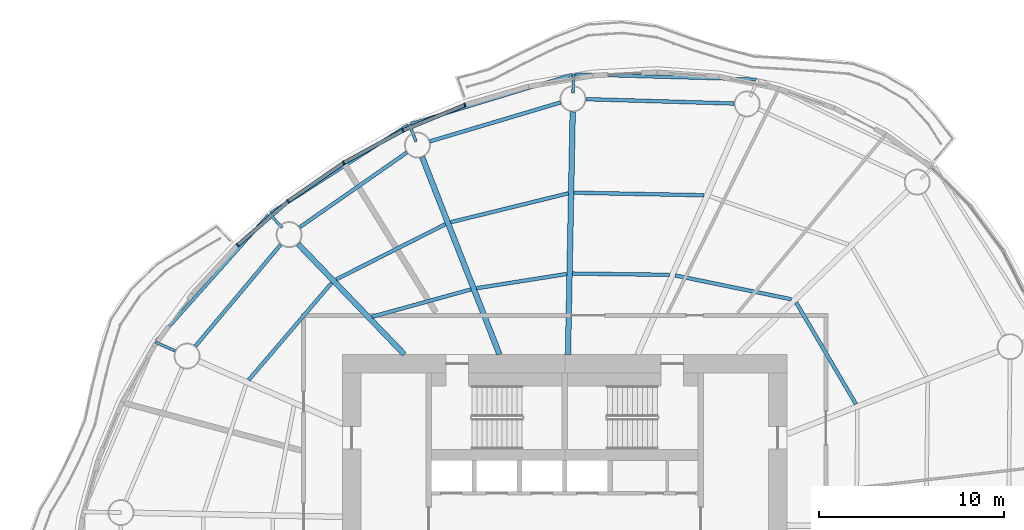
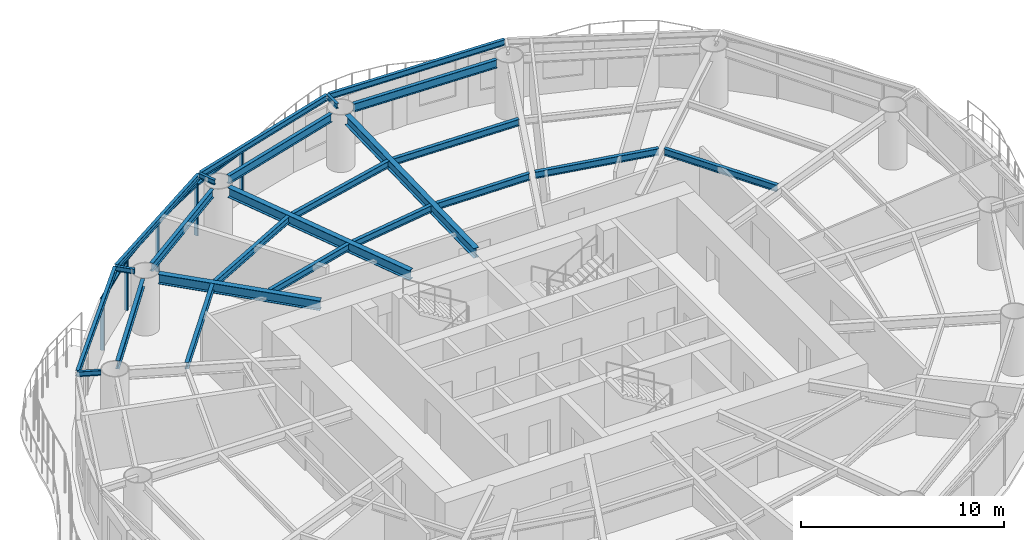
# One storey, part 5 of 15: 24 beams, 9 members, 4 elements without a shape of their own.
"""IFC4 building model written with IfcOpenShell, lengths in metres."""

from ifc_helpers import new_model, si_unit, direction, frame, origin, origin_2d, place, context, subcontext, project, spatial, rectangle, i_section, extrude, material, material_profile, profile_set, type_object, element, aggregate, save


model = new_model("IFC4")

# Units and contexts
model_context = context("Model", 3, precision=1e-05, world=origin(), true_north=direction((0.0, 1.0)))
body_context = subcontext(model_context, "Body", "Model", "MODEL_VIEW")
ifc_project = project(units=[si_unit("LENGTHUNIT", "METRE"), si_unit("AREAUNIT", "SQUARE_METRE"), si_unit("VOLUMEUNIT", "CUBIC_METRE"), si_unit("PLANEANGLEUNIT", "RADIAN"), si_unit("MASSUNIT", "GRAM", prefix="KILO")], contexts=[model_context])

# Site, building, storey
site_placement = place(None, origin())
site = spatial("IfcSite", under=ifc_project, at=site_placement, CompositionType="ELEMENT")
building_placement = place(site_placement, origin())
building = spatial("IfcBuilding", under=site, at=building_placement, Name="Vermilion Reach Broadcast Tower", CompositionType="ELEMENT")
storey_placement = place(building_placement, frame((0.0, 0.0, 161.39990234375)))
storey = spatial("IfcBuildingStorey", under=building, at=storey_placement, Name="L38", CompositionType="ELEMENT", Elevation=161.39990234375)

# Beams
ifc_material_1 = material(Name="Steel S355J2", Category="steel")
ifc_material_profile_1 = material_profile(ifc_material_1, i_section(OverallWidth=0.175048828125, OverallDepth=0.35009765625, WebThickness=0.007080078125, FlangeThickness=0.010986328125, at=origin_2d()), Name="S355J2 HN 350x175x7x11")
ifc_profile_set_1 = profile_set([ifc_material_profile_1], Name="Steel S355J2")
beam_type_1 = type_object("IfcBeamType", Name="EB3 HN 350x175x7x11", PredefinedType="BEAM", material=ifc_profile_set_1)
beam_1_placement = place(storey_placement, frame((4.33740234375, 23.837158203125, 3.275146484375), z_axis=(-0.999591598594, 0.028576844136, 0.0), x_axis=(-0.028576844136, -0.999591598594, 0.0)))
element("IfcBeam", 1, at=beam_1_placement, inside=storey, type_object=beam_type_1, Name="Edge beam EB3-02", PredefinedType="BEAM", context=body_context, shape_type="SweptSolid", body=[
    extrude(i_section(OverallWidth=0.175048828125, OverallDepth=0.35009765625, WebThickness=0.007080078125, FlangeThickness=0.010986328125, at=origin_2d()), origin(), (0.0, 0.0, 1.0), 9.799072265625),
])
beam_2_placement = place(storey_placement, frame((-5.608154296875, 24.096435546875, 3.275146484375), z_axis=(-0.956501934131, -0.291725984452, 0.0), x_axis=(0.291725984452, -0.956501934131, 0.0)))
element("IfcBeam", 2, at=beam_2_placement, inside=storey, type_object=beam_type_1, Name="Edge beam EB3-03", PredefinedType="BEAM", context=body_context, shape_type="SweptSolid", body=[
    extrude(i_section(OverallWidth=0.175048828125, OverallDepth=0.35009765625, WebThickness=0.007080078125, FlangeThickness=0.010986328125, at=origin_2d()), origin(), (0.0, 0.0, 1.0), 9.105224609375),
])
beam_3_placement = place(storey_placement, frame((-14.453857421875, 21.376953125, 3.275146484375), z_axis=(-0.842077348818, -0.539356782295, 0.0), x_axis=(0.539356782295, -0.842077348818, 0.0)))
element("IfcBeam", 3, at=beam_3_placement, inside=storey, type_object=beam_type_1, Name="Edge beam EB3-04", PredefinedType="BEAM", context=body_context, shape_type="SweptSolid", body=[
    extrude(i_section(OverallWidth=0.175048828125, OverallDepth=0.35009765625, WebThickness=0.007080078125, FlangeThickness=0.010986328125, at=origin_2d()), origin(), (0.0, 0.0, 1.0), 8.822265625),
])
beam_4_placement = place(storey_placement, frame((-21.997314453125, 16.521240234375, 3.275146484375), z_axis=(-0.664977714117, -0.746863200143, 0.0), x_axis=(0.746863200143, -0.664977714117, 0.0)))
element("IfcBeam", 4, at=beam_4_placement, inside=storey, type_object=beam_type_1, Name="Edge beam EB3-05", PredefinedType="BEAM", context=body_context, shape_type="SweptSolid", body=[
    extrude(i_section(OverallWidth=0.175048828125, OverallDepth=0.35009765625, WebThickness=0.007080078125, FlangeThickness=0.010986328125, at=origin_2d()), origin(), (0.0, 0.0, 1.0), 9.10546875),
])
ifc_material_2 = material(Name="Steel S355J2", Category="steel")
ifc_material_profile_2 = material_profile(ifc_material_2, i_section(OverallWidth=0.300048828125, OverallDepth=0.587890625, WebThickness=0.011962890625, FlangeThickness=0.02001953125, at=origin_2d()), Name="S355J2 HM 588x300x12x20")
ifc_profile_set_2 = profile_set([ifc_material_profile_2], Name="Steel S355J2")
beam_type_2 = type_object("IfcBeamType", Name="G3 HM 588x300x12x20", PredefinedType="BEAM", material=ifc_profile_set_2)
beam_5_placement = place(storey_placement, frame((-5.82568359375, 9.0, 3.156005859375), z_axis=(0.019378372481, 0.99981222171, 0.0), x_axis=(-0.99981222171, 0.019378372481, 0.0)))
element("IfcBeam", 5, at=beam_5_placement, inside=storey, type_object=beam_type_2, Name="Girder G3-03", PredefinedType="BEAM", context=body_context, shape_type="SweptSolid", body=[
    extrude(i_section(OverallWidth=0.300048828125, OverallDepth=0.587890625, WebThickness=0.011962890625, FlangeThickness=0.02001953125, at=origin_2d()), origin(), (0.0, 0.0, 1.0), 13.1025390625),
])
beam_6_placement = place(storey_placement, frame((-9.525146484375, 9.0, 3.156005859375), z_axis=(-0.364715649973, 0.931118947646, 0.0), x_axis=(-0.931118947646, -0.364715649973, 0.0)))
element("IfcBeam", 6, at=beam_6_placement, inside=storey, type_object=beam_type_2, Name="Girder G3-04", PredefinedType="BEAM", context=body_context, shape_type="SweptSolid", body=[
    extrude(i_section(OverallWidth=0.300048828125, OverallDepth=0.587890625, WebThickness=0.011962890625, FlangeThickness=0.02001953125, at=origin_2d()), origin(), (0.0, 0.0, 1.0), 11.436767578125),
])
beam_7_placement = place(storey_placement, frame((-14.657958984375, 9.0, 3.156005859375), z_axis=(-0.693282657492, 0.72066577331, 0.0), x_axis=(-0.72066577331, -0.693282657492, 0.0)))
element("IfcBeam", 7, at=beam_7_placement, inside=storey, type_object=beam_type_2, Name="Girder G3-05", PredefinedType="BEAM", context=body_context, shape_type="SweptSolid", body=[
    extrude(i_section(OverallWidth=0.300048828125, OverallDepth=0.587890625, WebThickness=0.011962890625, FlangeThickness=0.02001953125, at=origin_2d()), origin(), (0.0, 0.0, 1.0), 8.273681640625),
])
ifc_material_3 = material(Name="Steel S355J2", Category="steel")
ifc_material_profile_3 = material_profile(ifc_material_3, i_section(OverallWidth=0.14990234375, OverallDepth=0.300048828125, WebThickness=0.006591796875, FlangeThickness=0.009033203125, at=origin_2d()), Name="S355J2 HN 300x150x6.5x9")
ifc_profile_set_3 = profile_set([ifc_material_profile_3], Name="Steel S355J2")
beam_type_3 = type_object("IfcBeamType", Name="GS3 HN 300x150x6.5x9", PredefinedType="BEAM", material=ifc_profile_set_3)
for number, where, z_axis, x_axis, name in (
    (8, (-5.552001953125, 23.11962890625, 3.300048828125), (0.019288230334, 0.999813964781, 0.0), (-0.999813964781, 0.019288230334, 0.0), "Cantilever stub GS3-03"),
    (9, (-14.024658203125, 20.487060546875, 3.300048828125), (-0.364730702407, 0.931113051526, 0.0), (-0.931113051526, -0.364730702407, 0.0), "Cantilever stub GS3-04"),
    (10, (-21.25390625, 15.856689453125, 3.300048828125), (-0.693303837595, 0.720645397388, 0.0), (-0.720645397388, -0.693303837595, 0.0), "Cantilever stub GS3-05"),
):
    element("IfcBeam", number, at=place(storey_placement, frame(where, z_axis=z_axis, x_axis=x_axis)), inside=storey, type_object=beam_type_3, Name=name, PredefinedType="BEAM", context=body_context, shape_type="SweptSolid", body=[
        extrude(i_section(OverallWidth=0.14990234375, OverallDepth=0.300048828125, WebThickness=0.006591796875, FlangeThickness=0.009033203125, at=origin_2d()), origin(), (0.0, 0.0, 1.0), 1.0),
    ])
beam_8_placement = place(storey_placement, frame((-27.02978515625, 9.19189453125, 3.300048828125), z_axis=(-0.91622419933, 0.400665966313, 0.0), x_axis=(-0.400665966313, -0.91622419933, 0.0)))
element("IfcBeam", 11, at=beam_8_placement, inside=storey, type_object=beam_type_3, Name="Cantilever stub GS3-06", PredefinedType="BEAM", context=body_context, shape_type="SweptSolid", body=[
    extrude(i_section(OverallWidth=0.14990234375, OverallDepth=0.300048828125, WebThickness=0.006591796875, FlangeThickness=0.009033203125, at=origin_2d()), origin(), (0.0, 0.0, 1.0), 1.173095703125),
])
ifc_material_4 = material(Name="Steel S355J2", Category="steel")
ifc_material_profile_4 = material_profile(ifc_material_4, i_section(OverallWidth=0.199951171875, OverallDepth=0.5, WebThickness=0.010009765625, FlangeThickness=0.01611328125, at=origin_2d()), Name="S355J2 HN 500x200x10x16")
ifc_profile_set_4 = profile_set([ifc_material_profile_4], Name="Steel S355J2")
beam_type_4 = type_object("IfcBeamType", Name="RB3 HN 500x200x10x16", PredefinedType="BEAM", material=ifc_profile_set_4)
beam_9_placement = place(storey_placement, frame((3.1455078125, 22.544677734375, 3.2001953125), z_axis=(-0.999569781146, 0.029330063427, 0.0), x_axis=(-0.029330063427, -0.999569781146, 0.0)))
element("IfcBeam", 12, at=beam_9_placement, inside=storey, type_object=beam_type_4, Name="Ring beam RB3-02", PredefinedType="BEAM", context=body_context, shape_type="SweptSolid", body=[
    extrude(i_section(OverallWidth=0.199951171875, OverallDepth=0.5, WebThickness=0.010009765625, FlangeThickness=0.01611328125, at=origin_2d()), origin(), (0.0, 0.0, 1.0), 8.007568359375),
])
beam_10_placement = place(storey_placement, frame((-6.229248046875, 22.60009765625, 3.2001953125), z_axis=(-0.958416970322, -0.285371531516, 0.0), x_axis=(0.285371531516, -0.958416970322, 0.0)))
element("IfcBeam", 13, at=beam_10_placement, inside=storey, type_object=beam_type_4, Name="Ring beam RB3-03", PredefinedType="BEAM", context=body_context, shape_type="SweptSolid", body=[
    extrude(i_section(OverallWidth=0.199951171875, OverallDepth=0.5, WebThickness=0.010009765625, FlangeThickness=0.01611328125, at=origin_2d()), origin(), (0.0, 0.0, 1.0), 7.357421875),
])
beam_11_placement = place(storey_placement, frame((-14.525634765625, 19.900146484375, 3.2001953125), z_axis=(-0.820111453349, -0.572203813415, 0.0), x_axis=(0.572203813415, -0.820111453349, 0.0)))
element("IfcBeam", 14, at=beam_11_placement, inside=storey, type_object=beam_type_4, Name="Ring beam RB3-04", PredefinedType="BEAM", context=body_context, shape_type="SweptSolid", body=[
    extrude(i_section(OverallWidth=0.199951171875, OverallDepth=0.5, WebThickness=0.010009765625, FlangeThickness=0.01611328125, at=origin_2d()), origin(), (0.0, 0.0, 1.0), 7.04736328125),
])
beam_12_placement = place(storey_placement, frame((-21.32958984375, 14.931396484375, 3.2001953125), z_axis=(-0.643350337931, -0.765571905626, 0.0), x_axis=(0.765571905626, -0.643350337931, 0.0)))
element("IfcBeam", 15, at=beam_12_placement, inside=storey, type_object=beam_type_4, Name="Ring beam RB3-05", PredefinedType="BEAM", context=body_context, shape_type="SweptSolid", body=[
    extrude(i_section(OverallWidth=0.199951171875, OverallDepth=0.5, WebThickness=0.010009765625, FlangeThickness=0.01611328125, at=origin_2d()), origin(), (0.0, 0.0, 1.0), 7.1630859375),
])
ifc_material_5 = material(Name="Steel S355J2", Category="steel")
ifc_material_profile_5 = material_profile(ifc_material_5, i_section(OverallWidth=0.199951171875, OverallDepth=0.39990234375, WebThickness=0.008056640625, FlangeThickness=0.012939453125, at=origin_2d()), Name="S355J2 HN 400x200x8x13")
ifc_profile_set_5 = profile_set([ifc_material_profile_5], Name="Steel S355J2")
beam_type_5 = type_object("IfcBeamType", Name="SB3 HN 400x200x8x13", PredefinedType="BEAM", material=ifc_profile_set_5)
beam_13_placement = place(storey_placement, frame((6.232666015625, 11.975830078125, 3.25), z_axis=(-0.97956765607, 0.201114910391, 0.0), x_axis=(-0.201114910391, -0.97956765607, 0.0)))
element("IfcBeam", 16, at=beam_13_placement, inside=storey, type_object=beam_type_5, Name="Secondary beam SB3-01-1", PredefinedType="BEAM", context=body_context, shape_type="SweptSolid", body=[
    extrude(i_section(OverallWidth=0.199951171875, OverallDepth=0.39990234375, WebThickness=0.008056640625, FlangeThickness=0.012939453125, at=origin_2d()), origin(), (0.0, 0.0, 1.0), 6.40234375),
])
beam_14_placement = place(storey_placement, frame((-0.351806640625, 13.29638671875, 3.25), z_axis=(-0.999914891843, 0.013046419838, 0.0), x_axis=(-0.013046419838, -0.999914891843, 0.0)))
element("IfcBeam", 17, at=beam_14_placement, inside=storey, type_object=beam_type_5, Name="Secondary beam SB3-02-1", PredefinedType="BEAM", context=body_context, shape_type="SweptSolid", body=[
    extrude(i_section(OverallWidth=0.199951171875, OverallDepth=0.39990234375, WebThickness=0.008056640625, FlangeThickness=0.012939453125, at=origin_2d()), origin(), (0.0, 0.0, 1.0), 5.23974609375),
])
beam_15_placement = place(storey_placement, frame((1.525634765625, 17.591552734375, 3.25), z_axis=(-0.999804929321, 0.019751033045, 0.0), x_axis=(-0.019751033045, -0.999804929321, 0.0)))
element("IfcBeam", 18, at=beam_15_placement, inside=storey, type_object=beam_type_5, Name="Secondary beam SB3-02-2", PredefinedType="BEAM", context=body_context, shape_type="SweptSolid", body=[
    extrude(i_section(OverallWidth=0.199951171875, OverallDepth=0.39990234375, WebThickness=0.008056640625, FlangeThickness=0.012939453125, at=origin_2d()), origin(), (0.0, 0.0, 1.0), 7.033447265625),
])
beam_16_placement = place(storey_placement, frame((-5.8916015625, 13.343017578125, 3.25), z_axis=(-0.987756142208, -0.15600578044, 0.0), x_axis=(0.15600578044, -0.987756142208, 0.0)))
element("IfcBeam", 19, at=beam_16_placement, inside=storey, type_object=beam_type_5, Name="Secondary beam SB3-03-1", PredefinedType="BEAM", context=body_context, shape_type="SweptSolid", body=[
    extrude(i_section(OverallWidth=0.199951171875, OverallDepth=0.39990234375, WebThickness=0.008056640625, FlangeThickness=0.012939453125, at=origin_2d()), origin(), (0.0, 0.0, 1.0), 4.9326171875),
])
beam_17_placement = place(storey_placement, frame((-5.80712890625, 17.6962890625, 3.25), z_axis=(-0.971111691931, -0.238625400566, 0.0), x_axis=(0.238625400566, -0.971111691931, 0.0)))
element("IfcBeam", 20, at=beam_17_placement, inside=storey, type_object=beam_type_5, Name="Secondary beam SB3-03-2", PredefinedType="BEAM", context=body_context, shape_type="SweptSolid", body=[
    extrude(i_section(OverallWidth=0.199951171875, OverallDepth=0.39990234375, WebThickness=0.008056640625, FlangeThickness=0.012939453125, at=origin_2d()), origin(), (0.0, 0.0, 1.0), 6.540771484375),
])
beam_18_placement = place(storey_placement, frame((-11.06103515625, 12.509521484375, 3.25), z_axis=(-0.963889790258, -0.266301468708, 0.0), x_axis=(0.266301468708, -0.963889790258, 0.0)))
element("IfcBeam", 21, at=beam_18_placement, inside=storey, type_object=beam_type_5, Name="Secondary beam SB3-04-1", PredefinedType="BEAM", context=body_context, shape_type="SweptSolid", body=[
    extrude(i_section(OverallWidth=0.199951171875, OverallDepth=0.39990234375, WebThickness=0.008056640625, FlangeThickness=0.012939453125, at=origin_2d()), origin(), (0.0, 0.0, 1.0), 5.544677734375),
])
beam_19_placement = place(storey_placement, frame((-12.4404296875, 16.03125, 3.25), z_axis=(-0.892320561657, -0.451402276516, 0.0), x_axis=(0.451402276516, -0.892320561657, 0.0)))
element("IfcBeam", 22, at=beam_19_placement, inside=storey, type_object=beam_type_5, Name="Secondary beam SB3-04-2", PredefinedType="BEAM", context=body_context, shape_type="SweptSolid", body=[
    extrude(i_section(OverallWidth=0.199951171875, OverallDepth=0.39990234375, WebThickness=0.008056640625, FlangeThickness=0.012939453125, at=origin_2d()), origin(), (0.0, 0.0, 1.0), 6.613525390625),
])
beam_20_placement = place(storey_placement, frame((-18.579833984375, 12.860595703125, 3.25), z_axis=(-0.650167134505, -0.759791219487, 0.0), x_axis=(0.759791219487, -0.650167134505, 0.0)))
element("IfcBeam", 23, at=beam_20_placement, inside=storey, type_object=beam_type_5, Name="Secondary beam SB3-05-2", PredefinedType="BEAM", context=body_context, shape_type="SweptSolid", body=[
    extrude(i_section(OverallWidth=0.199951171875, OverallDepth=0.39990234375, WebThickness=0.008056640625, FlangeThickness=0.012939453125, at=origin_2d()), origin(), (0.0, 0.0, 1.0), 6.89501953125),
])
beam_21_placement = place(storey_placement, frame((9.71923828125, 6.318115234375, 3.25), z_axis=(-0.507249643612, 0.861799163991, 0.0), x_axis=(-0.861799163991, -0.507249643612, 0.0)))
element("IfcBeam", 24, at=beam_21_placement, inside=storey, type_object=beam_type_5, Name="Secondary beam SB3-16-1", PredefinedType="BEAM", context=body_context, shape_type="SweptSolid", body=[
    extrude(i_section(OverallWidth=0.199951171875, OverallDepth=0.39990234375, WebThickness=0.008056640625, FlangeThickness=0.012939453125, at=origin_2d()), origin(), (0.0, 0.0, 1.0), 6.3681640625),
])

# Curtain wall, member
ifc_material_6 = material(Name="Low-e laminated clear glass in aluminium frame", Category="aluminium")
curtain_wall_type = type_object("IfcCurtainWallType", Name="Slot curtain wall", PredefinedType="NOTDEFINED", material=ifc_material_6)
placement = place(storey_placement, origin())
curtain_wall_1 = element("IfcCurtainWall", 25, at=placement, inside=storey, type_object=curtain_wall_type, Name="Slot curtain wall L38 10", PredefinedType="NOTDEFINED")
ifc_material_7 = material(Name="Anodised aluminium", Category="aluminium")
ifc_material_profile_6 = material_profile(ifc_material_7, rectangle(XDim=0.199951171875, YDim=0.080078125, at=origin_2d()), Name="Slot mullion 80 x 200")
ifc_profile_set_6 = profile_set([ifc_material_profile_6], Name="Anodised aluminium")
member_type_1 = type_object("IfcMemberType", Name="Slot mullion 80 x 200", PredefinedType="MULLION", material=ifc_profile_set_6)
member_1_placement = place(storey_placement, frame((-11.39306640625, 22.466064453125, 0.0), z_axis=(0.0, 0.0, 1.0), x_axis=(0.330168406061, -0.9439220432, 0.0)))
member_1 = element("IfcMember", 26, at=member_1_placement, type_object=member_type_1, Name="Slot mullion L38 10", PredefinedType="MULLION", context=body_context, shape_type="SweptSolid", body=[
    extrude(rectangle(XDim=0.199951171875, YDim=0.080078125, at=origin_2d()), origin(), (0.0, 0.0, 1.0), 3.10009765625),
])

curtain_wall_2 = element("IfcCurtainWall", 27, at=placement, inside=storey, type_object=curtain_wall_type, Name="Slot curtain wall L38 11", PredefinedType="NOTDEFINED")
member_2_placement = place(storey_placement, frame((-14.73974609375, 21.0849609375, 0.0), z_axis=(0.0, 0.0, 1.0), x_axis=(0.430732639051, -0.902479580742, 0.0)))
member_2 = element("IfcMember", 28, at=member_2_placement, type_object=member_type_1, Name="Slot mullion L38 11", PredefinedType="MULLION", context=body_context, shape_type="SweptSolid", body=[
    extrude(rectangle(XDim=0.199951171875, YDim=0.080078125, at=origin_2d()), origin(), (0.0, 0.0, 1.0), 3.10009765625),
])

curtain_wall_3 = element("IfcCurtainWall", 29, at=placement, inside=storey, type_object=curtain_wall_type, Name="Slot curtain wall L38 12", PredefinedType="NOTDEFINED")
member_3_placement = place(storey_placement, frame((-17.936279296875, 19.341796875, 0.0), z_axis=(0.0, 0.0, 1.0), x_axis=(0.525174693961, -0.850994442298, 0.0)))
member_3 = element("IfcMember", 30, at=member_3_placement, type_object=member_type_1, Name="Slot mullion L38 12", PredefinedType="MULLION", context=body_context, shape_type="SweptSolid", body=[
    extrude(rectangle(XDim=0.199951171875, YDim=0.080078125, at=origin_2d()), origin(), (0.0, 0.0, 1.0), 3.10009765625),
])

# Curtain wall, members
curtain_wall_4 = element("IfcCurtainWall", 31, at=placement, inside=storey, type_object=curtain_wall_type, Name="Slot curtain wall L38 13", PredefinedType="NOTDEFINED")
member_4_placement = place(storey_placement, frame((-20.927978515625, 17.26611328125, 0.0), z_axis=(0.0, 0.0, 1.0), x_axis=(0.613540359418, -0.789663363317, 0.0)))
member_4 = element("IfcMember", 32, at=member_4_placement, type_object=member_type_1, Name="Slot mullion L38 13", PredefinedType="MULLION", context=body_context, shape_type="SweptSolid", body=[
    extrude(rectangle(XDim=0.199951171875, YDim=0.080078125, at=origin_2d()), origin(), (0.0, 0.0, 1.0), 3.10009765625),
])
member_5_placement = place(storey_placement, frame((-23.662841796875, 14.893798828125, 0.0), z_axis=(0.0, 0.0, 1.0), x_axis=(0.695674547947, -0.718357100152, 0.0)))
member_5 = element("IfcMember", 33, at=member_5_placement, type_object=member_type_1, Name="Slot mullion L38 14", PredefinedType="MULLION", context=body_context, shape_type="SweptSolid", body=[
    extrude(rectangle(XDim=0.199951171875, YDim=0.080078125, at=origin_2d()), origin(), (0.0, 0.0, 1.0), 3.10009765625),
])

# Member
ifc_material_8 = material(Name="Anodised aluminium", Category="aluminium")
ifc_material_profile_7 = material_profile(ifc_material_8, rectangle(XDim=0.199951171875, YDim=0.10009765625, at=origin_2d()), Name="Slot transom 200 x 100")
ifc_profile_set_7 = profile_set([ifc_material_profile_7], Name="Anodised aluminium")
member_type_2 = type_object("IfcMemberType", Name="Slot transom 200 x 100", PredefinedType="USERDEFINED", material=ifc_profile_set_7)
member_6_placement = place(storey_placement, frame((-11.429931640625, 22.45068359375, 3.050048828125), z_axis=(-0.924403652398, -0.381415636062, 0.0), x_axis=(0.381415636062, -0.924403652398, 0.0)))
member_6 = element("IfcMember", 34, at=member_6_placement, type_object=member_type_2, Name="Slot transom L38 10.1", ObjectType="TRANSOM", PredefinedType="USERDEFINED", context=body_context, shape_type="SweptSolid", body=[
    extrude(rectangle(XDim=0.199951171875, YDim=0.10009765625, at=origin_2d()), origin(), (0.0, 0.0, 1.0), 3.540283203125),
])

aggregate(curtain_wall_1, [member_1, member_6])

member_7_placement = place(storey_placement, frame((-14.774658203125, 21.06591796875, 3.050048828125), z_axis=(-0.8779427253, -0.478765674514, 0.0), x_axis=(0.478765674514, -0.8779427253, 0.0)))
member_7 = element("IfcMember", 35, at=member_7_placement, type_object=member_type_2, Name="Slot transom L38 11.1", ObjectType="TRANSOM", PredefinedType="USERDEFINED", context=body_context, shape_type="SweptSolid", body=[
    extrude(rectangle(XDim=0.199951171875, YDim=0.10009765625, at=origin_2d()), origin(), (0.0, 0.0, 1.0), 3.5615234375),
])

aggregate(curtain_wall_2, [member_2, member_7])

member_8_placement = place(storey_placement, frame((-17.96923828125, 19.31884765625, 3.050048828125), z_axis=(-0.821601875112, -0.570061714916, 0.0), x_axis=(0.570061714916, -0.821601875112, 0.0)))
member_8 = element("IfcMember", 36, at=member_8_placement, type_object=member_type_2, Name="Slot transom L38 12.1", ObjectType="TRANSOM", PredefinedType="USERDEFINED", context=body_context, shape_type="SweptSolid", body=[
    extrude(rectangle(XDim=0.199951171875, YDim=0.10009765625, at=origin_2d()), origin(), (0.0, 0.0, 1.0), 3.56103515625),
])

aggregate(curtain_wall_3, [member_3, member_8])

member_9_placement = place(storey_placement, frame((-20.958251953125, 17.23974609375, 3.050048828125), z_axis=(-0.75543189727, -0.655227173267, 0.0), x_axis=(0.655227173267, -0.75543189727, 0.0)))
member_9 = element("IfcMember", 37, at=member_9_placement, type_object=member_type_2, Name="Slot transom L38 13.1", ObjectType="TRANSOM", PredefinedType="USERDEFINED", context=body_context, shape_type="SweptSolid", body=[
    extrude(rectangle(XDim=0.199951171875, YDim=0.10009765625, at=origin_2d()), origin(), (0.0, 0.0, 1.0), 3.5400390625),
])

aggregate(curtain_wall_4, [member_4, member_5, member_9])

save(model, "model.ifc")
